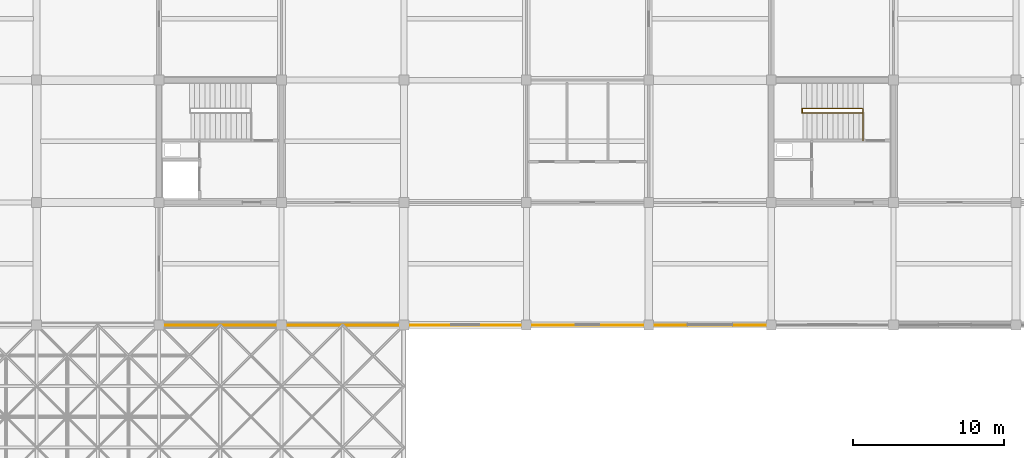
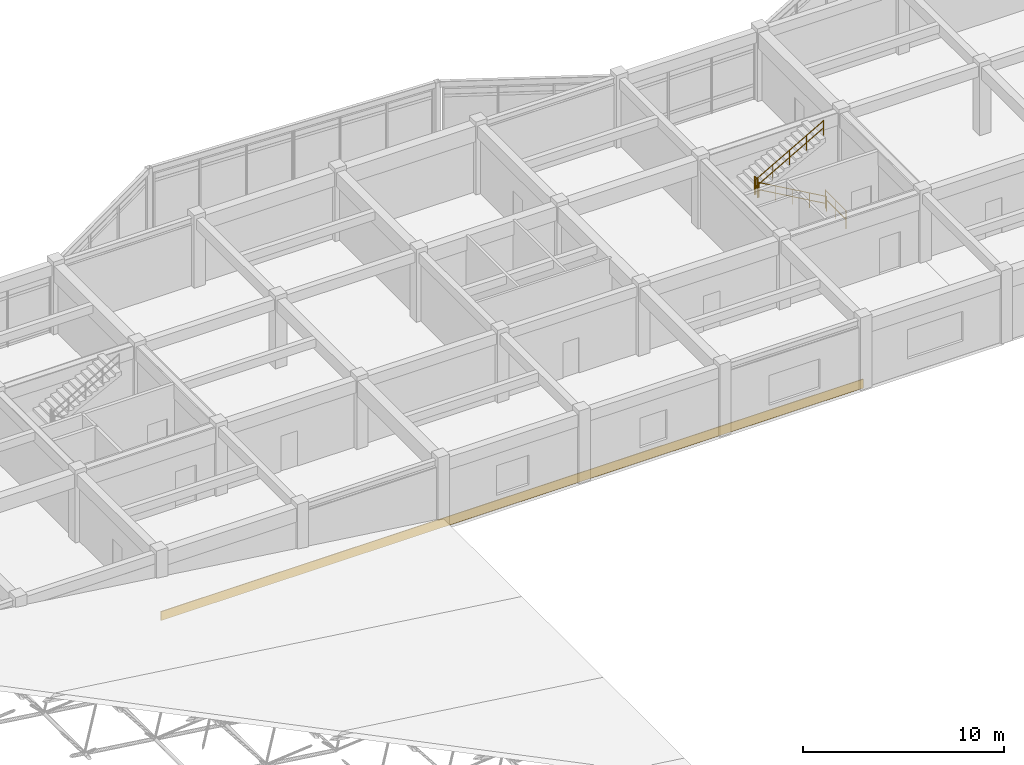
# One storey, part 65 of 70: 4 railings, 1 covering.
"""IFC4 building model written with IfcOpenShell, lengths in metres."""

from ifc_helpers import new_model, si_unit, direction, frame, origin, origin_2d, place, context, subcontext, project, spatial, rectangle, circle, extrude, material, layer, layer_set, type_object, element, save


model = new_model("IFC4")

# Units and contexts
model_context = context("Model", 3, precision=1e-05, world=origin(), true_north=direction((0.0, 1.0)))
body_context = subcontext(model_context, "Body", "Model", "MODEL_VIEW")
ifc_project = project(units=[si_unit("LENGTHUNIT", "METRE"), si_unit("AREAUNIT", "SQUARE_METRE"), si_unit("VOLUMEUNIT", "CUBIC_METRE"), si_unit("PLANEANGLEUNIT", "RADIAN"), si_unit("MASSUNIT", "GRAM", prefix="KILO")], contexts=[model_context])

# Site, building, storey
site_placement = place(None, origin())
site = spatial("IfcSite", under=ifc_project, at=site_placement, CompositionType="ELEMENT")
building_placement = place(site_placement, origin())
building = spatial("IfcBuilding", under=site, at=building_placement, Name="Vaudrelin Polytechnic", CompositionType="ELEMENT")
storey_placement = place(building_placement, frame((0.0, 0.0, 14.110107421875)))
storey = spatial("IfcBuildingStorey", under=building, at=storey_placement, Name="L03", CompositionType="ELEMENT", Elevation=14.110107421875)

# Covering
ifc_material_1 = material(Name="Pre-weathered quartz-zinc standing seam", Category="metal")
ifc_layer = layer(ifc_material_1, 0.044921875)
ifc_layer_set = layer_set([ifc_layer], Name="Pre-weathered quartz-zinc standing seam")
covering_type = type_object("IfcCoveringType", Name="ENV-CLD-ZNC", PredefinedType="CLADDING", material=ifc_layer_set)
covering_placement = place(storey_placement, frame((36.5, 97.179931640625, -0.125), z_axis=(0.0, 0.0, 1.0), x_axis=(1.0, 0.0, 0.0)))
element("IfcCovering", 1, at=covering_placement, inside=storey, type_object=covering_type, Name="Standing-seam zinc fascia cladding CLD-05", PredefinedType="CLADDING", context=body_context, shape_type="SweptSolid", body=[
    extrude(rectangle(XDim=40.39990234375, YDim=0.044921875, at=origin_2d()), origin(), (0.0, 0.0, 1.0), 0.550048828125),
])

# Railings
ifc_material_2 = material(Name="Brushed stainless steel AISI 304", Category="steel")
railing_type_1 = type_object("IfcRailingType", Name="RAL-GR-INT", PredefinedType="GUARDRAIL", material=ifc_material_2)
railing_1_placement = place(storey_placement, frame((62.780029296875, 109.409912109375, 0.0)))
element("IfcRailing", 2, at=railing_1_placement, inside=storey, type_object=railing_type_1, Name="ST-09-L02 upper well guardrail", PredefinedType="GUARDRAIL", context=body_context, shape_type="SweptSolid", body=[
    extrude(circle(Radius=0.02392578125, at=origin_2d()), frame((0.0, 0.023193359375, 1.09619140625), z_axis=(0.0, 1.0, 0.0), x_axis=(-1.0, 0.0, 0.0)), (0.0, 0.0, 1.0), 2.02392578125),
    extrude(circle(Radius=0.02392578125, at=origin_2d()), frame((0.0, 0.023193359375, 0.56005859375), z_axis=(0.0, 1.0, 0.0), x_axis=(-1.0, 0.0, 0.0)), (0.0, 0.0, 1.0), 2.02392578125),
    extrude(circle(Radius=0.02099609375, at=origin_2d()), origin(), (0.0, 0.0, 1.0), 1.1201171875),
    extrude(circle(Radius=0.02099609375, at=origin_2d()), frame((0.0, 1.03515625, 0.0)), (0.0, 0.0, 1.0), 1.1201171875),
    extrude(circle(Radius=0.02099609375, at=origin_2d()), frame((0.0, 2.070068359375, 0.0)), (0.0, 0.0, 1.0), 1.1201171875),
])
railing_2_placement = place(storey_placement, frame((58.75, 111.239990234375, 2.2099609375)))
element("IfcRailing", 3, at=railing_2_placement, inside=storey, type_object=railing_type_1, Name="ST-09-L03 landing well guardrail", PredefinedType="GUARDRAIL", context=body_context, shape_type="SweptSolid", body=[
    extrude(circle(Radius=0.02392578125, at=origin_2d()), frame((0.0, 0.023193359375, 1.09619140625), z_axis=(0.0, 1.0, 0.0), x_axis=(-1.0, 0.0, 0.0)), (0.0, 0.0, 1.0), 0.23388671875),
    extrude(circle(Radius=0.02392578125, at=origin_2d()), frame((0.0, 0.023193359375, 0.56005859375), z_axis=(0.0, 1.0, 0.0), x_axis=(-1.0, 0.0, 0.0)), (0.0, 0.0, 1.0), 0.23388671875),
    extrude(circle(Radius=0.02099609375, at=origin_2d()), origin(), (0.0, 0.0, 1.0), 1.1201171875),
    extrude(circle(Radius=0.02099609375, at=origin_2d()), frame((0.0, 0.280029296875, 0.0)), (0.0, 0.0, 1.0), 1.1201171875),
])
railing_type_2 = type_object("IfcRailingType", Name="RAL-HR-STR", PredefinedType="HANDRAIL", material=ifc_material_2)
railing_3_placement = place(storey_placement, frame((62.699951171875, 111.22998046875, 0.0)))
element("IfcRailing", 4, at=railing_3_placement, inside=storey, type_object=railing_type_2, Name="ST-09-L03 flight 1 handrail", PredefinedType="HANDRAIL", context=body_context, shape_type="SweptSolid", body=[
    extrude(circle(Radius=0.02392578125, at=origin_2d()), frame((-0.02001953125, 0.0, 0.9072265625), z_axis=(-0.86947626696, 0.0, 0.493974717161), x_axis=(0.0, -1.0, 0.0)), (0.0, 0.0, 1.0), 4.427734375),
    extrude(circle(Radius=0.02392578125, at=origin_2d()), frame((-0.02001953125, 0.0, 0.471435546875), z_axis=(-0.86947626696, 0.0, 0.493974717161), x_axis=(0.0, -1.0, 0.0)), (0.0, 0.0, 1.0), 4.427734375),
    extrude(circle(Radius=0.02099609375, at=origin_2d()), origin(), (0.0, 0.0, 1.0), 0.919921875),
    extrude(circle(Radius=0.02099609375, at=origin_2d()), frame((-0.972412109375, 0.0, 0.552490234375)), (0.0, 0.0, 1.0), 0.919921875),
    extrude(circle(Radius=0.02099609375, at=origin_2d()), frame((-1.94482421875, 0.0, 1.10498046875)), (0.0, 0.0, 1.0), 0.919921875),
    extrude(circle(Radius=0.02099609375, at=origin_2d()), frame((-2.91748046875, 0.0, 1.657470703125)), (0.0, 0.0, 1.0), 0.919921875),
    extrude(circle(Radius=0.02099609375, at=origin_2d()), frame((-3.889892578125, 0.0, 2.2099609375)), (0.0, 0.0, 1.0), 0.919921875),
])
railing_4_placement = place(storey_placement, frame((58.81005859375, 111.530029296875, 2.2099609375)))
element("IfcRailing", 5, at=railing_4_placement, inside=storey, type_object=railing_type_2, Name="ST-09-L03 flight 2 handrail", PredefinedType="HANDRAIL", context=body_context, shape_type="SweptSolid", body=[
    extrude(circle(Radius=0.02392578125, at=origin_2d()), frame((0.02001953125, 0.0, 0.9072265625), z_axis=(0.86947626696, 0.0, 0.493974717161), x_axis=(0.0, 1.0, 0.0)), (0.0, 0.0, 1.0), 4.427734375),
    extrude(circle(Radius=0.02392578125, at=origin_2d()), frame((0.02001953125, 0.0, 0.471435546875), z_axis=(0.86947626696, 0.0, 0.493974717161), x_axis=(0.0, 1.0, 0.0)), (0.0, 0.0, 1.0), 4.427734375),
    extrude(circle(Radius=0.02099609375, at=origin_2d()), origin(), (0.0, 0.0, 1.0), 0.919921875),
    extrude(circle(Radius=0.02099609375, at=origin_2d()), frame((0.972412109375, 0.0, 0.552490234375)), (0.0, 0.0, 1.0), 0.919921875),
    extrude(circle(Radius=0.02099609375, at=origin_2d()), frame((1.94482421875, 0.0, 1.10498046875)), (0.0, 0.0, 1.0), 0.919921875),
    extrude(circle(Radius=0.02099609375, at=origin_2d()), frame((2.91748046875, 0.0, 1.657470703125)), (0.0, 0.0, 1.0), 0.919921875),
    extrude(circle(Radius=0.02099609375, at=origin_2d()), frame((3.889892578125, 0.0, 2.2099609375)), (0.0, 0.0, 1.0), 0.919921875),
])

save(model, "model.ifc")
